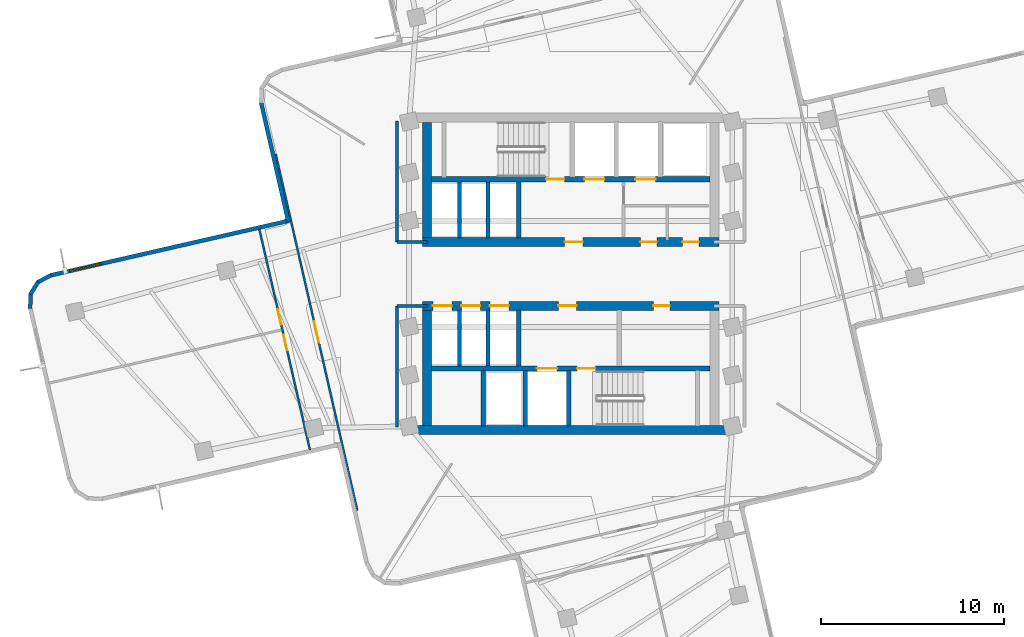
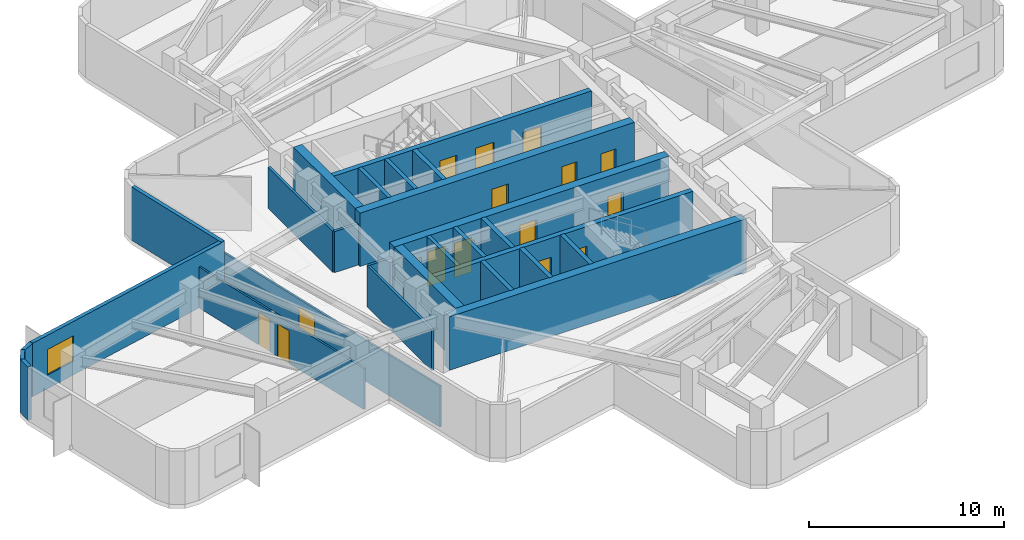
# One storey, part 3 of 7: 27 walls, 16 doors, 1 window, 17 openings.
"""IFC4 building model written with IfcOpenShell, lengths in metres."""

from ifc_helpers import new_model, si_unit, direction, frame, frame_2d, origin, place, context, subcontext, project, spatial, rectangle, extrude, material, layer, layer_set, type_object, element, fill, save


model = new_model("IFC4")

# Units and contexts
model_context = context("Model", 3, precision=1e-05, world=origin(), true_north=direction((0.0, 1.0)))
body_context = subcontext(model_context, "Body", "Model", "MODEL_VIEW")
ifc_project = project(units=[si_unit("LENGTHUNIT", "METRE"), si_unit("AREAUNIT", "SQUARE_METRE"), si_unit("VOLUMEUNIT", "CUBIC_METRE"), si_unit("PLANEANGLEUNIT", "RADIAN"), si_unit("MASSUNIT", "GRAM", prefix="KILO")], contexts=[model_context])

# Site, building, storey
site_placement = place(None, origin())
site = spatial("IfcSite", under=ifc_project, at=site_placement, CompositionType="ELEMENT")
building_placement = place(site_placement, origin())
building = spatial("IfcBuilding", under=site, at=building_placement, Name="Solmarez Civic Tower", CompositionType="ELEMENT")
storey_placement = place(building_placement, frame((0.0, 0.0, 116.280029296875)))
storey = spatial("IfcBuildingStorey", under=building, at=storey_placement, Name="L30", CompositionType="ELEMENT", Elevation=116.280029296875)

# Wall, openings, doors
ifc_material_1 = material(Name="Concrete C60/75", Category="concrete")
ifc_layer_1 = layer(ifc_material_1, 0.5)
ifc_layer_set_1 = layer_set([ifc_layer_1], Name="Concrete C60/75")
wall_type_1 = type_object("IfcWallType", Name="WALL-CORE-500", PredefinedType="SHEAR", material=ifc_layer_set_1)
wall_1_placement = place(storey_placement, frame((8.1201171875, 1.75, 0.0), z_axis=(0.0, 0.0, 1.0), x_axis=(-1.0, 0.0, 0.0)))
wall_1 = element("IfcWall", 1, at=wall_1_placement, inside=storey, type_object=wall_type_1, Name="L30 Split-Core Structural Wall NCW-S-L30", PredefinedType="SHEAR", context=body_context, shape_type="SweptSolid", body=[
    extrude(rectangle(XDim=16.240234375, YDim=0.5, at=frame_2d((8.1201171875, 0.0))), origin(), (0.0, 0.0, 1.0), 3.340087890625),
])
opening_1_placement = place(wall_1_placement, frame((7.449951171875, 0.0, 0.0)))
opening_1 = element("IfcOpeningElement", 2, at=opening_1_placement, cuts=wall_1, Name="Opening D-04", PredefinedType="OPENING", context=body_context, shape_type="SweptSolid", body=[
    extrude(rectangle(XDim=1.0, YDim=2.10009765625, at=frame_2d((0.5, 1.050048828125))), frame((0.0, 0.260009765625, 0.0), z_axis=(0.0, -1.0, 0.0), x_axis=(1.0, 0.0, 0.0)), (0.0, 0.0, 1.0), 0.52001953125),
])
opening_2_placement = place(wall_1_placement, frame((3.39990234375, 0.0, 0.0)))
opening_2 = element("IfcOpeningElement", 3, at=opening_2_placement, cuts=wall_1, Name="Opening D-09", PredefinedType="OPENING", context=body_context, shape_type="SweptSolid", body=[
    extrude(rectangle(XDim=0.89990234375, YDim=2.06005859375, at=frame_2d((0.449951171875, 1.030029296875))), frame((0.0, 0.260009765625, 0.0), z_axis=(0.0, -1.0, 0.0), x_axis=(1.0, 0.0, 0.0)), (0.0, 0.0, 1.0), 0.52001953125),
])
opening_3_placement = place(wall_1_placement, frame((1.10009765625, 0.0, 0.0)))
opening_3 = element("IfcOpeningElement", 4, at=opening_3_placement, cuts=wall_1, Name="Opening D-09", PredefinedType="OPENING", context=body_context, shape_type="SweptSolid", body=[
    extrude(rectangle(XDim=0.89990234375, YDim=2.06005859375, at=frame_2d((0.449951171875, 1.030029296875))), frame((0.0, 0.260009765625, 0.0), z_axis=(0.0, -1.0, 0.0), x_axis=(1.0, 0.0, 0.0)), (0.0, 0.0, 1.0), 0.52001953125),
])
ifc_material_2 = material(Name="Steel-Faced Acoustic Fire Door", Category="steel")
door_type_1 = type_object("IfcDoorType", Name="DOOR-FD60-1000", OperationType="NOTDEFINED", PredefinedType="DOOR", material=ifc_material_2)
door_1_placement = place(opening_1_placement, origin())
door_1 = element("IfcDoor", 5, at=door_1_placement, inside=storey, type_object=door_type_1, Name="L30 North Firefighting Lobby Door", OperationType="SINGLE_SWING_LEFT", OverallHeight=2.10009765625, OverallWidth=1.0, PredefinedType="DOOR", context=body_context, shape_type="SweptSolid", body=[
    extrude(rectangle(XDim=1.0, YDim=2.10009765625, at=frame_2d((0.5, 1.050048828125))), frame((0.0, 0.02490234375, 0.0), z_axis=(0.0, -1.0, 0.0), x_axis=(1.0, 0.0, 0.0)), (0.0, 0.0, 1.0), 0.050048828125),
])
fill(opening_1, door_1)
ifc_material_3 = material(Name="Fire-Rated Service Core Door", Category="wood")
door_type_2 = type_object("IfcDoorType", Name="DOOR-FD60-900", OperationType="NOTDEFINED", PredefinedType="DOOR", material=ifc_material_3)
door_2_placement = place(opening_2_placement, origin())
door_2 = element("IfcDoor", 6, at=door_2_placement, inside=storey, type_object=door_type_2, Name="L30 Core WC Door", OperationType="SINGLE_SWING_LEFT", OverallHeight=2.06005859375, OverallWidth=0.89990234375, PredefinedType="DOOR", context=body_context, shape_type="SweptSolid", body=[
    extrude(rectangle(XDim=0.89990234375, YDim=2.06005859375, at=frame_2d((0.449951171875, 1.030029296875))), frame((0.0, 0.02490234375, 0.0), z_axis=(0.0, -1.0, 0.0), x_axis=(1.0, 0.0, 0.0)), (0.0, 0.0, 1.0), 0.050048828125),
])
fill(opening_2, door_2)
door_3_placement = place(opening_3_placement, origin())
door_3 = element("IfcDoor", 7, at=door_3_placement, inside=storey, type_object=door_type_2, Name="L30 Core CL Door", OperationType="SINGLE_SWING_RIGHT", OverallHeight=2.06005859375, OverallWidth=0.89990234375, PredefinedType="DOOR", context=body_context, shape_type="SweptSolid", body=[
    extrude(rectangle(XDim=0.89990234375, YDim=2.06005859375, at=frame_2d((0.449951171875, 1.030029296875))), frame((0.0, 0.02490234375, 0.0), z_axis=(0.0, -1.0, 0.0), x_axis=(1.0, 0.0, 0.0)), (0.0, 0.0, 1.0), 0.050048828125),
])
fill(opening_3, door_3)

# Walls
wall_2_placement = place(storey_placement, frame((-7.8701171875, 2.0, 0.0), z_axis=(0.0, 0.0, 1.0), x_axis=(0.0, 1.0, 0.0)))
element("IfcWall", 8, at=wall_2_placement, inside=storey, type_object=wall_type_1, Name="L30 Split-Core Structural Wall NCW-W-L30", PredefinedType="SHEAR", context=body_context, shape_type="SweptSolid", body=[
    extrude(rectangle(XDim=6.31005859375, YDim=0.5, at=frame_2d((3.155029296875, 0.0))), origin(), (0.0, 0.0, 1.0), 3.340087890625),
])
wall_3_placement = place(storey_placement, frame((8.780029296875, -8.56005859375, 0.0), z_axis=(0.0, 0.0, 1.0), x_axis=(-1.0, 0.0, 0.0)))
element("IfcWall", 9, at=wall_3_placement, inside=storey, type_object=wall_type_1, Name="L30 Split-Core Structural Wall SCW-S-L30", PredefinedType="SHEAR", context=body_context, shape_type="SweptSolid", body=[
    extrude(rectangle(XDim=17.56005859375, YDim=0.5, at=frame_2d((8.780029296875, 0.0))), origin(), (0.0, 0.0, 1.0), 3.340087890625),
])

# Wall, openings, doors
wall_4_placement = place(storey_placement, frame((-8.1201171875, -1.75, 0.0), z_axis=(0.0, 0.0, 1.0), x_axis=(1.0, 0.0, 0.0)))
wall_4 = element("IfcWall", 10, at=wall_4_placement, inside=storey, type_object=wall_type_1, Name="L30 Split-Core Structural Wall SCW-N-L30", PredefinedType="SHEAR", context=body_context, shape_type="SweptSolid", body=[
    extrude(rectangle(XDim=16.240234375, YDim=0.5, at=frame_2d((8.1201171875, 0.0))), origin(), (0.0, 0.0, 1.0), 3.340087890625),
])
opening_4_placement = place(wall_4_placement, frame((7.449951171875, 0.0, 0.0)))
opening_4 = element("IfcOpeningElement", 11, at=opening_4_placement, cuts=wall_4, Name="Opening D-04", PredefinedType="OPENING", context=body_context, shape_type="SweptSolid", body=[
    extrude(rectangle(XDim=1.0, YDim=2.10009765625, at=frame_2d((0.5, 1.050048828125))), frame((0.0, 0.260009765625, 0.0), z_axis=(0.0, -1.0, 0.0), x_axis=(1.0, 0.0, 0.0)), (0.0, 0.0, 1.0), 0.52001953125),
])
opening_5_placement = place(wall_4_placement, frame((12.64990234375, 0.0, 0.0)))
opening_5 = element("IfcOpeningElement", 12, at=opening_5_placement, cuts=wall_4, Name="Opening D-09", PredefinedType="OPENING", context=body_context, shape_type="SweptSolid", body=[
    extrude(rectangle(XDim=0.89990234375, YDim=2.06005859375, at=frame_2d((0.449951171875, 1.030029296875))), frame((0.0, 0.260009765625, 0.0), z_axis=(0.0, -1.0, 0.0), x_axis=(1.0, 0.0, 0.0)), (0.0, 0.0, 1.0), 0.52001953125),
])
opening_6_placement = place(wall_4_placement, frame((0.56494140625, 0.0, 0.0)))
opening_6 = element("IfcOpeningElement", 13, at=opening_6_placement, cuts=wall_4, Name="Opening LD-01", PredefinedType="OPENING", context=body_context, shape_type="SweptSolid", body=[
    extrude(rectangle(XDim=1.050048828125, YDim=2.14990234375, at=frame_2d((0.52490234375, 1.074951171875))), frame((0.0, 0.260009765625, 0.0), z_axis=(0.0, -1.0, 0.0), x_axis=(1.0, 0.0, 0.0)), (0.0, 0.0, 1.0), 0.52001953125),
])
opening_7_placement = place(wall_4_placement, frame((2.125, 0.0, 0.0)))
opening_7 = element("IfcOpeningElement", 14, at=opening_7_placement, cuts=wall_4, Name="Opening LD-01", PredefinedType="OPENING", context=body_context, shape_type="SweptSolid", body=[
    extrude(rectangle(XDim=1.050048828125, YDim=2.14990234375, at=frame_2d((0.52490234375, 1.074951171875))), frame((0.0, 0.260009765625, 0.0), z_axis=(0.0, -1.0, 0.0), x_axis=(1.0, 0.0, 0.0)), (0.0, 0.0, 1.0), 0.52001953125),
])
opening_8_placement = place(wall_4_placement, frame((3.68505859375, 0.0, 0.0)))
opening_8 = element("IfcOpeningElement", 15, at=opening_8_placement, cuts=wall_4, Name="Opening LD-01", PredefinedType="OPENING", context=body_context, shape_type="SweptSolid", body=[
    extrude(rectangle(XDim=1.050048828125, YDim=2.14990234375, at=frame_2d((0.52490234375, 1.074951171875))), frame((0.0, 0.260009765625, 0.0), z_axis=(0.0, -1.0, 0.0), x_axis=(1.0, 0.0, 0.0)), (0.0, 0.0, 1.0), 0.52001953125),
])
door_4_placement = place(opening_4_placement, origin())
door_4 = element("IfcDoor", 16, at=door_4_placement, inside=storey, type_object=door_type_1, Name="L30 South Firefighting Lobby Door", OperationType="SINGLE_SWING_RIGHT", OverallHeight=2.10009765625, OverallWidth=1.0, PredefinedType="DOOR", context=body_context, shape_type="SweptSolid", body=[
    extrude(rectangle(XDim=1.0, YDim=2.10009765625, at=frame_2d((0.5, 1.050048828125))), frame((0.0, 0.02490234375, 0.0), z_axis=(0.0, -1.0, 0.0), x_axis=(1.0, 0.0, 0.0)), (0.0, 0.0, 1.0), 0.050048828125),
])
fill(opening_4, door_4)
door_5_placement = place(opening_5_placement, origin())
door_5 = element("IfcDoor", 17, at=door_5_placement, inside=storey, type_object=door_type_2, Name="L30 Freed Hoistway Mailroom Door", OperationType="SINGLE_SWING_LEFT", OverallHeight=2.06005859375, OverallWidth=0.89990234375, PredefinedType="DOOR", context=body_context, shape_type="SweptSolid", body=[
    extrude(rectangle(XDim=0.89990234375, YDim=2.06005859375, at=frame_2d((0.449951171875, 1.030029296875))), frame((0.0, 0.02490234375, 0.0), z_axis=(0.0, -1.0, 0.0), x_axis=(1.0, 0.0, 0.0)), (0.0, 0.0, 1.0), 0.050048828125),
])
fill(opening_5, door_5)
ifc_material_4 = material(Name="Bronze Passenger Lift Landing Sliding Door", Category="aluminium")
door_type_3 = type_object("IfcDoorType", Name="DOOR-LD-PAX-1050", OperationType="DOUBLE_DOOR_SLIDING", PredefinedType="DOOR", material=ifc_material_4)
door_6_placement = place(opening_6_placement, origin())
door_6 = element("IfcDoor", 18, at=door_6_placement, inside=storey, type_object=door_type_3, Name="L30 Mid-Rise Lift Landing Door PL-M1", OperationType="DOUBLE_DOOR_SLIDING", OverallHeight=2.14990234375, OverallWidth=1.050048828125, PredefinedType="DOOR", context=body_context, shape_type="SweptSolid", body=[
    extrude(rectangle(XDim=1.050048828125, YDim=2.14990234375, at=frame_2d((0.52490234375, 1.074951171875))), frame((0.0, 0.02490234375, 0.0), z_axis=(0.0, -1.0, 0.0), x_axis=(1.0, 0.0, 0.0)), (0.0, 0.0, 1.0), 0.050048828125),
])
fill(opening_6, door_6)
door_7_placement = place(opening_7_placement, origin())
door_7 = element("IfcDoor", 19, at=door_7_placement, inside=storey, type_object=door_type_3, Name="L30 Mid-Rise Lift Landing Door PL-M2", OperationType="DOUBLE_DOOR_SLIDING", OverallHeight=2.14990234375, OverallWidth=1.050048828125, PredefinedType="DOOR", context=body_context, shape_type="SweptSolid", body=[
    extrude(rectangle(XDim=1.050048828125, YDim=2.14990234375, at=frame_2d((0.52490234375, 1.074951171875))), frame((0.0, 0.02490234375, 0.0), z_axis=(0.0, -1.0, 0.0), x_axis=(1.0, 0.0, 0.0)), (0.0, 0.0, 1.0), 0.050048828125),
])
fill(opening_7, door_7)
door_8_placement = place(opening_8_placement, origin())
door_8 = element("IfcDoor", 20, at=door_8_placement, inside=storey, type_object=door_type_3, Name="L30 Mid-Rise Lift Landing Door PL-M3", OperationType="DOUBLE_DOOR_SLIDING", OverallHeight=2.14990234375, OverallWidth=1.050048828125, PredefinedType="DOOR", context=body_context, shape_type="SweptSolid", body=[
    extrude(rectangle(XDim=1.050048828125, YDim=2.14990234375, at=frame_2d((0.52490234375, 1.074951171875))), frame((0.0, 0.02490234375, 0.0), z_axis=(0.0, -1.0, 0.0), x_axis=(1.0, 0.0, 0.0)), (0.0, 0.0, 1.0), 0.050048828125),
])
fill(opening_8, door_8)

# Walls
wall_5_placement = place(storey_placement, frame((-7.8701171875, -8.31005859375, 0.0), z_axis=(0.0, 0.0, 1.0), x_axis=(0.0, 1.0, 0.0)))
element("IfcWall", 21, at=wall_5_placement, inside=storey, type_object=wall_type_1, Name="L30 Split-Core Structural Wall SCW-W-L30", PredefinedType="SHEAR", context=body_context, shape_type="SweptSolid", body=[
    extrude(rectangle(XDim=6.31005859375, YDim=0.5, at=frame_2d((3.155029296875, 0.0))), origin(), (0.0, 0.0, 1.0), 3.340087890625),
])
ifc_material_5 = material(Name="Precast concrete C40/50", Category="concrete")
ifc_layer_2 = layer(ifc_material_5, 0.219970703125)
ifc_layer_set_2 = layer_set([ifc_layer_2], Name="Precast concrete C40/50")
wall_type_2 = type_object("IfcWallType", Name="WALL-EXT-220", PredefinedType="SOLIDWALL", material=ifc_layer_set_2)
wall_6_placement = place(storey_placement, frame((-29.6201171875, -1.89892578125, 0.0), z_axis=(0.0, 0.0, 1.0), x_axis=(0.037195813461, 0.999307996296, 0.0)))
element("IfcWall", 22, at=wall_6_placement, inside=storey, type_object=wall_type_2, Name="L30 Exterior Precast Wall 7", PredefinedType="SOLIDWALL", context=body_context, shape_type="SweptSolid", body=[
    extrude(rectangle(XDim=0.83349609375, YDim=0.219970703125, at=frame_2d((0.416748046875, 0.0))), origin(), (0.0, 0.0, 1.0), 3.340087890625),
])
wall_7_placement = place(storey_placement, frame((-29.60302734375, -1.112060546875, 0.0), z_axis=(0.0, 0.0, 1.0), x_axis=(0.530240177466, 0.847847482865, 0.0)))
element("IfcWall", 23, at=wall_7_placement, inside=storey, type_object=wall_type_2, Name="L30 Exterior Precast Wall 8", PredefinedType="SOLIDWALL", context=body_context, shape_type="SweptSolid", body=[
    extrude(rectangle(XDim=0.818603515625, YDim=0.219970703125, at=frame_2d((0.4091796875, 0.0))), origin(), (0.0, 0.0, 1.0), 3.340087890625),
])
wall_8_placement = place(storey_placement, frame((-29.2041015625, -0.450927734375, 0.0), z_axis=(0.0, 0.0, 1.0), x_axis=(0.883716798585, 0.468022029287, 0.0)))
element("IfcWall", 24, at=wall_8_placement, inside=storey, type_object=wall_type_2, Name="L30 Exterior Precast Wall 9", PredefinedType="SOLIDWALL", context=body_context, shape_type="SweptSolid", body=[
    extrude(rectangle(XDim=0.835205078125, YDim=0.219970703125, at=frame_2d((0.41748046875, 0.0))), origin(), (0.0, 0.0, 1.0), 3.340087890625),
])

# Wall, opening, window
wall_9_placement = place(storey_placement, frame((-28.511962890625, -0.077880859375, 0.0), z_axis=(0.0, 0.0, 1.0), x_axis=(0.974753462872, 0.223283870038, 0.0)))
wall_9 = element("IfcWall", 25, at=wall_9_placement, inside=storey, type_object=wall_type_2, Name="L30 Exterior Precast Wall 10", PredefinedType="SOLIDWALL", context=body_context, shape_type="SweptSolid", body=[
    extrude(rectangle(XDim=13.457763671875, YDim=0.219970703125, at=frame_2d((6.72900390625, 0.0))), origin(), (0.0, 0.0, 1.0), 3.340087890625),
])
opening_9_placement = place(wall_9_placement, frame((1.10009765625, 0.0, 0.85009765625)))
opening_9 = element("IfcOpeningElement", 26, at=opening_9_placement, cuts=wall_9, Name="Opening W-12", PredefinedType="OPENING", context=body_context, shape_type="SweptSolid", body=[
    extrude(rectangle(XDim=1.800048828125, YDim=1.60009765625, at=frame_2d((0.89990234375, 0.800048828125))), frame((0.0, 0.119873046875, 0.0), z_axis=(0.0, -1.0, 0.0), x_axis=(1.0, 0.0, 0.0)), (0.0, 0.0, 1.0), 0.239990234375),
])
ifc_material_6 = material(Name="Solar Control Bronze-Tinted Insulating Glass", Category="glass")
window_type = type_object("IfcWindowType", Name="WIN-1800X1600", PartitioningType="SINGLE_PANEL", PredefinedType="WINDOW", material=ifc_material_6)
window_placement = place(opening_9_placement, origin())
window = element("IfcWindow", 27, at=window_placement, inside=storey, type_object=window_type, Name="L30 Exterior Facade Window 10", OverallHeight=1.60009765625, OverallWidth=1.800048828125, PartitioningType="SINGLE_PANEL", PredefinedType="WINDOW", context=body_context, shape_type="SweptSolid", body=[
    extrude(rectangle(XDim=1.800048828125, YDim=1.60009765625, at=frame_2d((0.89990234375, 0.800048828125))), frame((0.0, 0.030029296875, 0.0), z_axis=(0.0, -1.0, 0.0), x_axis=(1.0, 0.0, 0.0)), (0.0, 0.0, 1.0), 0.06005859375),
])
fill(opening_9, window)

# Walls
wall_10_placement = place(storey_placement, frame((-15.4599609375, 2.821044921875, 0.0), z_axis=(0.0, 0.0, 1.0), x_axis=(-0.223278912438, 0.974754598481, 0.0)))
element("IfcWall", 28, at=wall_10_placement, inside=storey, type_object=wall_type_2, Name="L30 Exterior Precast Wall 13", PredefinedType="SOLIDWALL", context=body_context, shape_type="SweptSolid", body=[
    extrude(rectangle(XDim=6.758544921875, YDim=0.219970703125, at=frame_2d((3.37939453125, 0.0))), origin(), (0.0, 0.0, 1.0), 3.340087890625),
])
ifc_material_7 = material(Name="Gypsum Board Acoustic Steel-Stud Partition", Category="steel")
ifc_layer_3 = layer(ifc_material_7, 0.14990234375)
ifc_layer_set_3 = layer_set([ifc_layer_3], Name="Gypsum Board Acoustic Steel-Stud Partition")
wall_type_3 = type_object("IfcWallType", Name="WALL-INT-FIRE-150", PredefinedType="PARTITIONING", material=ifc_layer_set_3)
wall_11_placement = place(storey_placement, frame((-9.52001953125, 1.75, 0.0), z_axis=(0.0, 0.0, 1.0), x_axis=(0.0, 1.0, 0.0)))
element("IfcWall", 29, at=wall_11_placement, inside=storey, type_object=wall_type_3, Name="L30 Interior Partition CHW-L30-WN1", PredefinedType="PARTITIONING", context=body_context, shape_type="SweptSolid", body=[
    extrude(rectangle(XDim=6.6298828125, YDim=0.14990234375, at=frame_2d((3.31494140625, 0.0))), origin(), (0.0, 0.0, 1.0), 2.570068359375),
])
wall_12_placement = place(storey_placement, frame((-7.85009765625, 1.75, 0.0), z_axis=(0.0, 0.0, 1.0), x_axis=(-1.0, 0.0, 0.0)))
element("IfcWall", 30, at=wall_12_placement, inside=storey, type_object=wall_type_3, Name="L30 Interior Partition CHW-L30-WN3", PredefinedType="PARTITIONING", context=body_context, shape_type="SweptSolid", body=[
    extrude(rectangle(XDim=1.669921875, YDim=0.14990234375, at=frame_2d((0.8349609375, 0.0))), origin(), (0.0, 0.0, 1.0), 2.570068359375),
])
wall_13_placement = place(storey_placement, frame((-9.52001953125, -8.3798828125, 0.0), z_axis=(0.0, 0.0, 1.0), x_axis=(0.0, 1.0, 0.0)))
element("IfcWall", 31, at=wall_13_placement, inside=storey, type_object=wall_type_3, Name="L30 Interior Partition CHW-L30-WS1", PredefinedType="PARTITIONING", context=body_context, shape_type="SweptSolid", body=[
    extrude(rectangle(XDim=6.6298828125, YDim=0.14990234375, at=frame_2d((3.31494140625, 0.0))), origin(), (0.0, 0.0, 1.0), 2.570068359375),
])
wall_14_placement = place(storey_placement, frame((-7.85009765625, -1.75, 0.0), z_axis=(0.0, 0.0, 1.0), x_axis=(-1.0, 0.0, 0.0)))
element("IfcWall", 32, at=wall_14_placement, inside=storey, type_object=wall_type_3, Name="L30 Interior Partition CHW-L30-WS3", PredefinedType="PARTITIONING", context=body_context, shape_type="SweptSolid", body=[
    extrude(rectangle(XDim=1.669921875, YDim=0.14990234375, at=frame_2d((0.8349609375, 0.0))), origin(), (0.0, 0.0, 1.0), 2.570068359375),
])

# Wall, opening, door
ifc_layer_4 = layer(ifc_material_7, 0.110107421875)
ifc_layer_set_4 = layer_set([ifc_layer_4], Name="Gypsum Board Acoustic Steel-Stud Partition")
wall_type_4 = type_object("IfcWallType", Name="WALL-INT-PART-110", PredefinedType="PARTITIONING", material=ifc_layer_set_4)
wall_15_placement = place(storey_placement, frame((-11.69189453125, -12.95703125, 0.0), z_axis=(0.0, 0.0, 1.0), x_axis=(-0.223262093598, 0.97475845088, 0.0)))
wall_15 = element("IfcWall", 33, at=wall_15_placement, inside=storey, type_object=wall_type_4, Name="L30 Interior Partition PT-L30-W-ENT", PredefinedType="PARTITIONING", context=body_context, shape_type="SweptSolid", body=[
    extrude(rectangle(XDim=20.039794921875, YDim=0.110107421875, at=frame_2d((10.02001953125, 0.0))), origin(), (0.0, 0.0, 1.0), 2.570068359375),
])
opening_10_placement = place(wall_15_placement, frame((9.419921875, 0.0, 0.0)))
opening_10 = element("IfcOpeningElement", 34, at=opening_10_placement, cuts=wall_15, Name="Opening D-11", PredefinedType="OPENING", context=body_context, shape_type="SweptSolid", body=[
    extrude(rectangle(XDim=1.199951171875, YDim=2.10009765625, at=frame_2d((0.60009765625, 1.050048828125))), frame((0.0, 0.06494140625, 0.0), z_axis=(0.0, -1.0, 0.0), x_axis=(1.0, 0.0, 0.0)), (0.0, 0.0, 1.0), 0.130126953125),
])
ifc_material_8 = material(Name="Glazed-Vision Acoustic Chamber Door", Category="wood")
door_type_4 = type_object("IfcDoorType", Name="DOOR-INT-1200", OperationType="NOTDEFINED", PredefinedType="DOOR", material=ifc_material_8)
door_9_placement = place(opening_10_placement, origin())
door_9 = element("IfcDoor", 35, at=door_9_placement, inside=storey, type_object=door_type_4, Name="L30 Public Law Reading Room First West Door", OperationType="SINGLE_SWING_LEFT", OverallHeight=2.10009765625, OverallWidth=1.199951171875, PredefinedType="DOOR", context=body_context, shape_type="SweptSolid", body=[
    extrude(rectangle(XDim=1.199951171875, YDim=2.10009765625, at=frame_2d((0.60009765625, 1.050048828125))), frame((0.0, 0.02490234375, 0.0), z_axis=(0.0, -1.0, 0.0), x_axis=(1.0, 0.0, 0.0)), (0.0, 0.0, 1.0), 0.050048828125),
])
fill(opening_10, door_9)

# Wall, openings, doors
wall_16_placement = place(storey_placement, frame((-17.06201171875, 2.468017578125, 0.0), z_axis=(0.0, 0.0, 1.0), x_axis=(0.223341555051, -0.974740247341, 0.0)))
wall_16 = element("IfcWall", 36, at=wall_16_placement, inside=storey, type_object=wall_type_4, Name="L30 Interior Partition PT-L30-W-SCUT", PredefinedType="PARTITIONING", context=body_context, shape_type="SweptSolid", body=[
    extrude(rectangle(XDim=12.429931640625, YDim=0.110107421875, at=frame_2d((6.21484375, 0.0))), origin(), (0.0, 0.0, 1.0), 2.570068359375),
])
opening_11_placement = place(wall_16_placement, frame((4.514892578125, 0.0, 0.0)))
opening_11 = element("IfcOpeningElement", 37, at=opening_11_placement, cuts=wall_16, Name="Opening D-14", PredefinedType="OPENING", context=body_context, shape_type="SweptSolid", body=[
    extrude(rectangle(XDim=0.860107421875, YDim=2.0400390625, at=frame_2d((0.43017578125, 1.02001953125))), frame((0.0, 0.06494140625, 0.0), z_axis=(0.0, -1.0, 0.0), x_axis=(1.0, 0.0, 0.0)), (0.0, 0.0, 1.0), 0.130126953125),
])
opening_12_placement = place(wall_16_placement, frame((5.955078125, 0.0, 0.0)))
opening_12 = element("IfcOpeningElement", 38, at=opening_12_placement, cuts=wall_16, Name="Opening D-14", PredefinedType="OPENING", context=body_context, shape_type="SweptSolid", body=[
    extrude(rectangle(XDim=0.860107421875, YDim=2.0400390625, at=frame_2d((0.43017578125, 1.02001953125))), frame((0.0, 0.06494140625, 0.0), z_axis=(0.0, -1.0, 0.0), x_axis=(1.0, 0.0, 0.0)), (0.0, 0.0, 1.0), 0.130126953125),
])
ifc_material_9 = material(Name="Timber Storage and Pantry Door", Category="wood")
door_type_5 = type_object("IfcDoorType", Name="DOOR-INT-850", OperationType="NOTDEFINED", PredefinedType="DOOR", material=ifc_material_9)
door_10_placement = place(opening_11_placement, origin())
door_10 = element("IfcDoor", 39, at=door_10_placement, inside=storey, type_object=door_type_5, Name="L30 Municipal Co-Working Office Third West Door", OperationType="SINGLE_SWING_RIGHT", OverallHeight=2.0400390625, OverallWidth=0.860107421875, PredefinedType="DOOR", context=body_context, shape_type="SweptSolid", body=[
    extrude(rectangle(XDim=0.860107421875, YDim=2.0400390625, at=frame_2d((0.43017578125, 1.02001953125))), frame((0.0, 0.02490234375, 0.0), z_axis=(0.0, -1.0, 0.0), x_axis=(1.0, 0.0, 0.0)), (0.0, 0.0, 1.0), 0.050048828125),
])
fill(opening_11, door_10)
door_11_placement = place(opening_12_placement, origin())
door_11 = element("IfcDoor", 40, at=door_11_placement, inside=storey, type_object=door_type_5, Name="L30 Security Control Room Second West Door", OperationType="SINGLE_SWING_LEFT", OverallHeight=2.0400390625, OverallWidth=0.860107421875, PredefinedType="DOOR", context=body_context, shape_type="SweptSolid", body=[
    extrude(rectangle(XDim=0.860107421875, YDim=2.0400390625, at=frame_2d((0.43017578125, 1.02001953125))), frame((0.0, 0.02490234375, 0.0), z_axis=(0.0, -1.0, 0.0), x_axis=(1.0, 0.0, 0.0)), (0.0, 0.0, 1.0), 0.050048828125),
])
fill(opening_12, door_11)

ifc_material_10 = material(Name="Concrete C50/60", Category="concrete")
ifc_layer_5 = layer(ifc_material_10, 0.300048828125)
ifc_layer_set_5 = layer_set([ifc_layer_5], Name="Concrete C50/60")
wall_type_5 = type_object("IfcWallType", Name="WALL-STR-300", PredefinedType="SOLIDWALL", material=ifc_layer_set_5)
wall_17_placement = place(storey_placement, frame((7.6201171875, 5.179931640625, 0.0), z_axis=(0.0, 0.0, 1.0), x_axis=(-1.0, 0.0, 0.0)))
wall_17 = element("IfcWall", 41, at=wall_17_placement, inside=storey, type_object=wall_type_5, Name="L30 Split-Core Structural Wall NCW-M-L30", PredefinedType="SOLIDWALL", context=body_context, shape_type="SweptSolid", body=[
    extrude(rectangle(XDim=15.240234375, YDim=0.300048828125, at=frame_2d((7.6201171875, 0.0))), origin(), (0.0, 0.0, 1.0), 3.340087890625),
])
opening_13_placement = place(wall_17_placement, frame((5.77001953125, 0.0, 0.0)))
opening_13 = element("IfcOpeningElement", 42, at=opening_13_placement, cuts=wall_17, Name="Opening LD-02", PredefinedType="OPENING", context=body_context, shape_type="SweptSolid", body=[
    extrude(rectangle(XDim=1.10009765625, YDim=2.14990234375, at=frame_2d((0.550048828125, 1.074951171875))), frame((0.0, 0.159912109375, 0.0), z_axis=(0.0, -1.0, 0.0), x_axis=(1.0, 0.0, 0.0)), (0.0, 0.0, 1.0), 0.320068359375),
])
opening_14_placement = place(wall_17_placement, frame((2.969970703125, 0.0, 0.0)))
opening_14 = element("IfcOpeningElement", 43, at=opening_14_placement, cuts=wall_17, Name="Opening LD-03", PredefinedType="OPENING", context=body_context, shape_type="SweptSolid", body=[
    extrude(rectangle(XDim=1.10009765625, YDim=2.14990234375, at=frame_2d((0.550048828125, 1.074951171875))), frame((0.0, 0.159912109375, 0.0), z_axis=(0.0, -1.0, 0.0), x_axis=(1.0, 0.0, 0.0)), (0.0, 0.0, 1.0), 0.320068359375),
])
opening_15_placement = place(wall_17_placement, frame((7.969970703125, 0.0, 0.0)))
opening_15 = element("IfcOpeningElement", 44, at=opening_15_placement, cuts=wall_17, Name="Opening D-05", PredefinedType="OPENING", context=body_context, shape_type="SweptSolid", body=[
    extrude(rectangle(XDim=1.0, YDim=2.10009765625, at=frame_2d((0.5, 1.050048828125))), frame((0.0, 0.159912109375, 0.0), z_axis=(0.0, -1.0, 0.0), x_axis=(1.0, 0.0, 0.0)), (0.0, 0.0, 1.0), 0.320068359375),
])
ifc_material_11 = material(Name="Fire-Rated Stairwell Exit Door", Category="wood")
door_type_6 = type_object("IfcDoorType", Name="DOOR-FD90-1000", OperationType="NOTDEFINED", PredefinedType="DOOR", material=ifc_material_11)
door_12_placement = place(opening_15_placement, origin())
door_12 = element("IfcDoor", 45, at=door_12_placement, inside=storey, type_object=door_type_6, Name="L30 North Exit Stair Door ST-1", OperationType="SINGLE_SWING_LEFT", OverallHeight=2.10009765625, OverallWidth=1.0, PredefinedType="DOOR", context=body_context, shape_type="SweptSolid", body=[
    extrude(rectangle(XDim=1.0, YDim=2.10009765625, at=frame_2d((0.5, 1.050048828125))), frame((0.0, 0.02490234375, 0.0), z_axis=(0.0, -1.0, 0.0), x_axis=(1.0, 0.0, 0.0)), (0.0, 0.0, 1.0), 0.050048828125),
])
fill(opening_15, door_12)
ifc_material_12 = material(Name="Stainless Firefighting Lift Landing Sliding Door", Category="aluminium")
door_type_7 = type_object("IfcDoorType", Name="DOOR-LD-FF-1100", OperationType="DOUBLE_DOOR_SLIDING", PredefinedType="DOOR", material=ifc_material_12)
door_13_placement = place(opening_13_placement, origin())
door_13 = element("IfcDoor", 46, at=door_13_placement, inside=storey, type_object=door_type_7, Name="L30 Firefighting Lift Landing Door FFL-1", OperationType="DOUBLE_DOOR_SLIDING", OverallHeight=2.14990234375, OverallWidth=1.10009765625, PredefinedType="DOOR", context=body_context, shape_type="SweptSolid", body=[
    extrude(rectangle(XDim=1.10009765625, YDim=2.14990234375, at=frame_2d((0.550048828125, 1.074951171875))), frame((0.0, 0.02490234375, 0.0), z_axis=(0.0, -1.0, 0.0), x_axis=(1.0, 0.0, 0.0)), (0.0, 0.0, 1.0), 0.050048828125),
])
fill(opening_13, door_13)
ifc_material_13 = material(Name="Stainless Stretcher Lift Landing Sliding Door", Category="aluminium")
door_type_8 = type_object("IfcDoorType", Name="DOOR-LD-SV-1100", OperationType="DOUBLE_DOOR_SLIDING", PredefinedType="DOOR", material=ifc_material_13)
door_14_placement = place(opening_14_placement, origin())
door_14 = element("IfcDoor", 47, at=door_14_placement, inside=storey, type_object=door_type_8, Name="L30 Service Stretcher Lift Landing Door SVL-1", OperationType="DOUBLE_DOOR_SLIDING", OverallHeight=2.14990234375, OverallWidth=1.10009765625, PredefinedType="DOOR", context=body_context, shape_type="SweptSolid", body=[
    extrude(rectangle(XDim=1.10009765625, YDim=2.14990234375, at=frame_2d((0.550048828125, 1.074951171875))), frame((0.0, 0.02490234375, 0.0), z_axis=(0.0, -1.0, 0.0), x_axis=(1.0, 0.0, 0.0)), (0.0, 0.0, 1.0), 0.050048828125),
])
fill(opening_14, door_14)

wall_18_placement = place(storey_placement, frame((-7.6201171875, -5.179931640625, 0.0), z_axis=(0.0, 0.0, 1.0), x_axis=(1.0, 0.0, 0.0)))
wall_18 = element("IfcWall", 48, at=wall_18_placement, inside=storey, type_object=wall_type_5, Name="L30 Split-Core Structural Wall SCW-M-L30", PredefinedType="SOLIDWALL", context=body_context, shape_type="SweptSolid", body=[
    extrude(rectangle(XDim=15.240234375, YDim=0.300048828125, at=frame_2d((7.6201171875, 0.0))), origin(), (0.0, 0.0, 1.0), 3.340087890625),
])
opening_16_placement = place(wall_18_placement, frame((5.77001953125, 0.0, 0.0)))
opening_16 = element("IfcOpeningElement", 49, at=opening_16_placement, cuts=wall_18, Name="Opening LD-02", PredefinedType="OPENING", context=body_context, shape_type="SweptSolid", body=[
    extrude(rectangle(XDim=1.10009765625, YDim=2.14990234375, at=frame_2d((0.550048828125, 1.074951171875))), frame((0.0, 0.159912109375, 0.0), z_axis=(0.0, -1.0, 0.0), x_axis=(1.0, 0.0, 0.0)), (0.0, 0.0, 1.0), 0.320068359375),
])
opening_17_placement = place(wall_18_placement, frame((7.969970703125, 0.0, 0.0)))
opening_17 = element("IfcOpeningElement", 50, at=opening_17_placement, cuts=wall_18, Name="Opening D-05", PredefinedType="OPENING", context=body_context, shape_type="SweptSolid", body=[
    extrude(rectangle(XDim=1.0, YDim=2.10009765625, at=frame_2d((0.5, 1.050048828125))), frame((0.0, 0.159912109375, 0.0), z_axis=(0.0, -1.0, 0.0), x_axis=(1.0, 0.0, 0.0)), (0.0, 0.0, 1.0), 0.320068359375),
])
door_15_placement = place(opening_17_placement, origin())
door_15 = element("IfcDoor", 51, at=door_15_placement, inside=storey, type_object=door_type_6, Name="L30 South Exit Stair Door ST-2", OperationType="SINGLE_SWING_RIGHT", OverallHeight=2.10009765625, OverallWidth=1.0, PredefinedType="DOOR", context=body_context, shape_type="SweptSolid", body=[
    extrude(rectangle(XDim=1.0, YDim=2.10009765625, at=frame_2d((0.5, 1.050048828125))), frame((0.0, 0.02490234375, 0.0), z_axis=(0.0, -1.0, 0.0), x_axis=(1.0, 0.0, 0.0)), (0.0, 0.0, 1.0), 0.050048828125),
])
fill(opening_17, door_15)
door_16_placement = place(opening_16_placement, origin())
door_16 = element("IfcDoor", 52, at=door_16_placement, inside=storey, type_object=door_type_7, Name="L30 Firefighting Lift Landing Door FFL-2", OperationType="DOUBLE_DOOR_SLIDING", OverallHeight=2.14990234375, OverallWidth=1.10009765625, PredefinedType="DOOR", context=body_context, shape_type="SweptSolid", body=[
    extrude(rectangle(XDim=1.10009765625, YDim=2.14990234375, at=frame_2d((0.550048828125, 1.074951171875))), frame((0.0, 0.02490234375, 0.0), z_axis=(0.0, -1.0, 0.0), x_axis=(1.0, 0.0, 0.0)), (0.0, 0.0, 1.0), 0.050048828125),
])
fill(opening_16, door_16)

# Walls
wall_19_placement = place(storey_placement, frame((-2.85009765625, 1.97998046875, 0.0), z_axis=(0.0, 0.0, 1.0), x_axis=(0.0, 1.0, 0.0)))
element("IfcWall", 53, at=wall_19_placement, inside=storey, type_object=wall_type_5, Name="L30 Split-Core Structural Wall SHW-NL1-L30", PredefinedType="SOLIDWALL", context=body_context, shape_type="SweptSolid", body=[
    extrude(rectangle(XDim=3.070068359375, YDim=0.25, at=frame_2d((1.53515625, 0.0))), origin(), (0.0, 0.0, 1.0), 3.340087890625),
])
for number, where, z_axis, x_axis, name in (
    (54, (-0.10009765625, -8.340087890625, 0.0), (0.0, 0.0, 1.0), (0.0, 1.0, 0.0), "L30 Split-Core Structural Wall SHW-S1-L30"),
    (55, (-2.5, -8.340087890625, 0.0), (0.0, 0.0, 1.0), (0.0, 1.0, 0.0), "L30 Split-Core Structural Wall SHW-S2-L30"),
    (56, (-4.800048828125, -8.340087890625, 0.0), (0.0, 0.0, 1.0), (0.0, 1.0, 0.0), "L30 Split-Core Structural Wall SHW-S3-L30"),
):
    element("IfcWall", number, at=place(storey_placement, frame(where, z_axis=z_axis, x_axis=x_axis)), inside=storey, type_object=wall_type_5, Name=name, PredefinedType="SOLIDWALL", context=body_context, shape_type="SweptSolid", body=[
        extrude(rectangle(XDim=3.0400390625, YDim=0.25, at=frame_2d((1.52001953125, 0.0))), origin(), (0.0, 0.0, 1.0), 3.340087890625),
    ])
wall_20_placement = place(storey_placement, frame((-2.85009765625, -5.050048828125, 0.0), z_axis=(0.0, 0.0, 1.0), x_axis=(0.0, 1.0, 0.0)))
element("IfcWall", 57, at=wall_20_placement, inside=storey, type_object=wall_type_5, Name="L30 Split-Core Structural Wall SHW-SL1-L30", PredefinedType="SOLIDWALL", context=body_context, shape_type="SweptSolid", body=[
    extrude(rectangle(XDim=3.070068359375, YDim=0.25, at=frame_2d((1.53515625, 0.0))), origin(), (0.0, 0.0, 1.0), 3.340087890625),
])
for number, where, z_axis, x_axis, name in (
    (58, (-6.080078125, 1.97998046875, 0.0), (0.0, 0.0, 1.0), (0.0, 1.0, 0.0), "L30 Split-Core Structural Wall SHW-PLH-L30-1"),
    (59, (-4.52001953125, 1.97998046875, 0.0), (0.0, 0.0, 1.0), (0.0, 1.0, 0.0), "L30 Split-Core Structural Wall SHW-PLH-L30-2"),
    (60, (-6.080078125, -5.050048828125, 0.0), (0.0, 0.0, 1.0), (0.0, 1.0, 0.0), "L30 Split-Core Structural Wall SHW-PLM-L30-1"),
    (61, (-4.52001953125, -5.050048828125, 0.0), (0.0, 0.0, 1.0), (0.0, 1.0, 0.0), "L30 Split-Core Structural Wall SHW-PLM-L30-2"),
):
    element("IfcWall", number, at=place(storey_placement, frame(where, z_axis=z_axis, x_axis=x_axis)), inside=storey, type_object=wall_type_5, Name=name, PredefinedType="SOLIDWALL", context=body_context, shape_type="SweptSolid", body=[
        extrude(rectangle(XDim=3.070068359375, YDim=0.219970703125, at=frame_2d((1.53515625, 0.0))), origin(), (0.0, 0.0, 1.0), 3.340087890625),
    ])

save(model, "model.ifc")
